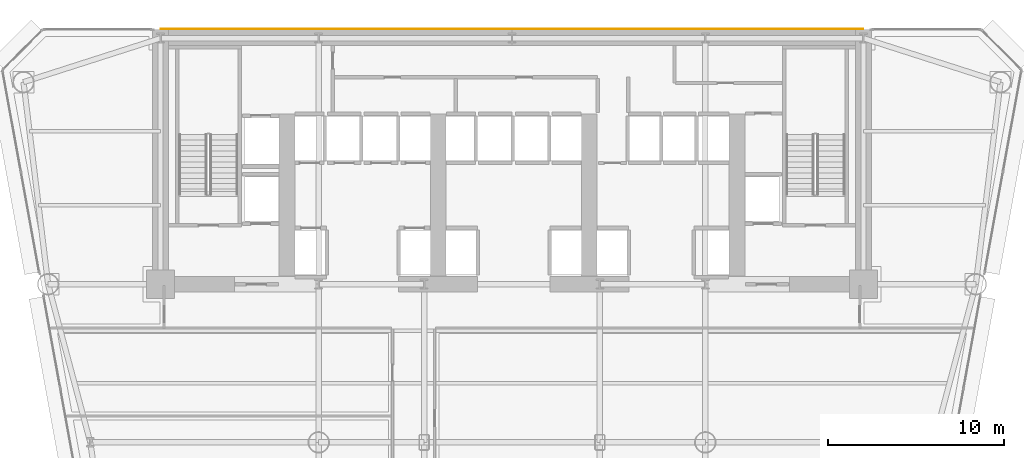
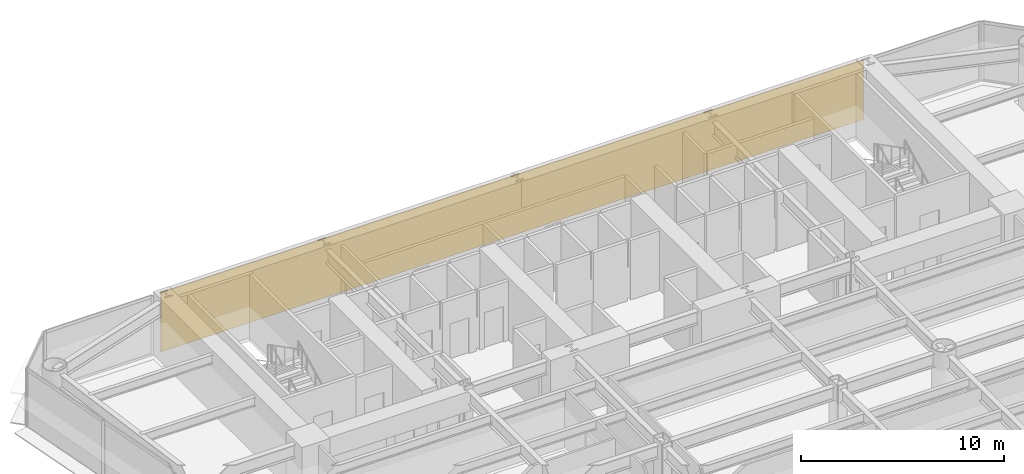
# One storey, part 13 of 14: 1 covering.
"""IFC4 building model written with IfcOpenShell, lengths in metres."""

from ifc_helpers import new_model, si_unit, direction, frame, origin, place, context, subcontext, project, spatial, polyline, outline, extrude, material, layer, layer_set, type_object, element, save


model = new_model("IFC4")

# Units and contexts
model_context = context("Model", 3, precision=1e-05, world=origin(), true_north=direction((0.0, 1.0)))
body_context = subcontext(model_context, "Body", "Model", "MODEL_VIEW")
ifc_project = project(units=[si_unit("LENGTHUNIT", "METRE"), si_unit("AREAUNIT", "SQUARE_METRE"), si_unit("VOLUMEUNIT", "CUBIC_METRE"), si_unit("PLANEANGLEUNIT", "RADIAN"), si_unit("MASSUNIT", "GRAM", prefix="KILO")], contexts=[model_context])

# Site, building, storey
site_placement = place(None, origin())
site = spatial("IfcSite", under=ifc_project, at=site_placement, CompositionType="ELEMENT")
building_placement = place(site_placement, origin())
building = spatial("IfcBuilding", under=site, at=building_placement, Name="Vaeldorn Concourse Tower", CompositionType="ELEMENT")
storey_placement = place(building_placement, frame((0.0, 0.0, 45.39990234375)))
storey = spatial("IfcBuildingStorey", under=building, at=storey_placement, Name="L11", CompositionType="ELEMENT", Elevation=45.39990234375)

# Covering
ifc_material = material(Name="Anodised Bronze Aluminium", Category="aluminium")
ifc_layer = layer(ifc_material, 0.050048828125)
ifc_layer_set = layer_set([ifc_layer], Name="Anodised Bronze Aluminium")
covering_type = type_object("IfcCoveringType", Name="COV-CLAD-BRONZE", PredefinedType="CLADDING", material=ifc_layer_set)
covering_placement = place(storey_placement, origin())
element("IfcCovering", 1, at=covering_placement, inside=storey, type_object=covering_type, Name="Rear Core Bronze Spandrel Cladding L11", PredefinedType="CLADDING", context=body_context, shape_type="SweptSolid", body=[
    extrude(outline(polyline([(14.0, 51.0), (54.0, 51.0), (54.0, 51.050048828125), (14.0, 51.050048828125), (14.0, 51.0)])), origin(), (0.0, 0.0, 1.0), 3.580078125),
])

save(model, "model.ifc")
